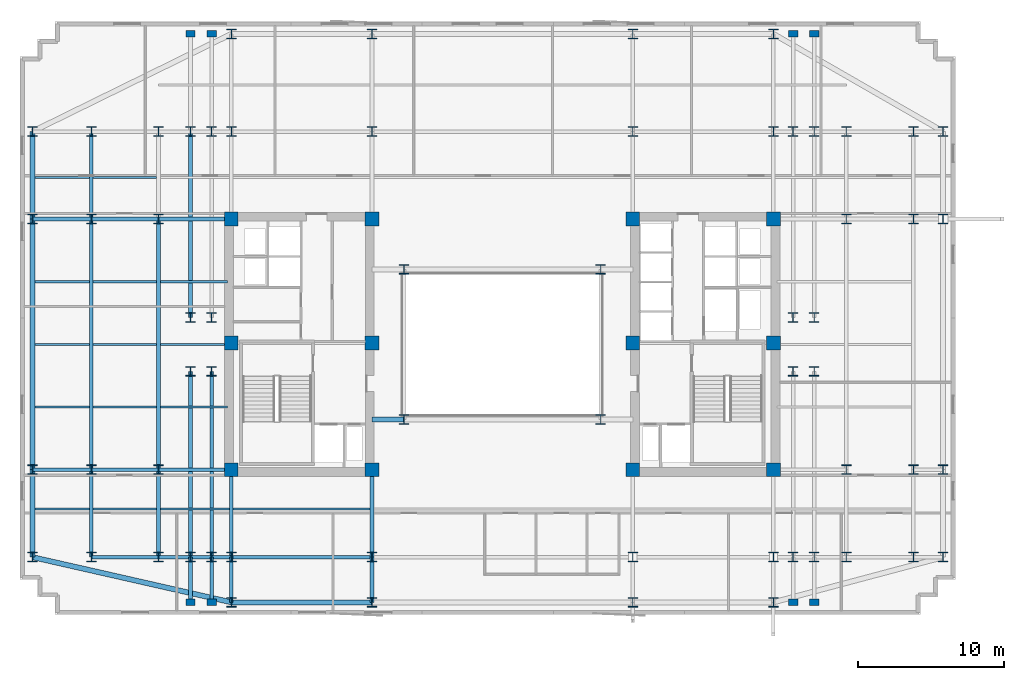
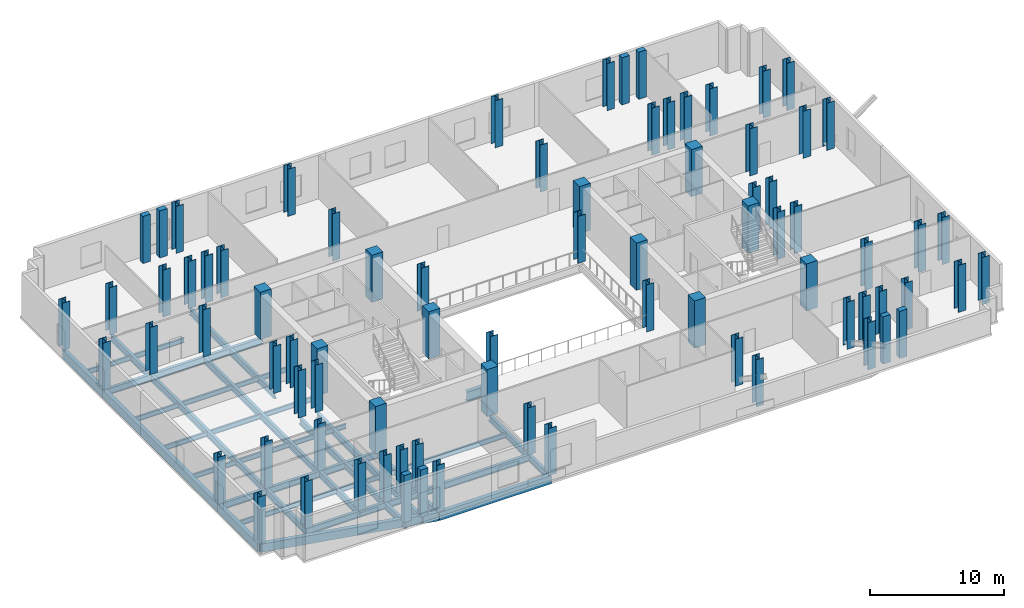
# One storey, part 1 of 9: 80 columns, 44 beams.
"""IFC4 building model written with IfcOpenShell, lengths in metres."""

from ifc_helpers import new_model, si_unit, direction, frame, origin, origin_2d, place, context, subcontext, project, spatial, rectangle, i_section, extrude, material, material_profile, profile_set, type_object, element, save


model = new_model("IFC4")

# Units and contexts
model_context = context("Model", 3, precision=1e-05, world=origin(), true_north=direction((0.0, 1.0)))
body_context = subcontext(model_context, "Body", "Model", "MODEL_VIEW")
ifc_project = project(units=[si_unit("LENGTHUNIT", "METRE"), si_unit("AREAUNIT", "SQUARE_METRE"), si_unit("VOLUMEUNIT", "CUBIC_METRE"), si_unit("PLANEANGLEUNIT", "RADIAN"), si_unit("MASSUNIT", "GRAM", prefix="KILO")], contexts=[model_context])

# Site, building, storey
site_placement = place(None, origin())
site = spatial("IfcSite", under=ifc_project, at=site_placement, CompositionType="ELEMENT")
building_placement = place(site_placement, origin())
building = spatial("IfcBuilding", under=site, at=building_placement, Name="Velakula Bourse", CompositionType="ELEMENT")
storey_placement = place(building_placement, frame((0.0, 0.0, 151.89990234375)))
storey = spatial("IfcBuildingStorey", under=building, at=storey_placement, Name="L41", CompositionType="ELEMENT", Elevation=151.89990234375)

# Columns
ifc_material_1 = material(Name="Concrete M70 (fck 70 MPa)", Category="concrete")
ifc_material_profile_1 = material_profile(ifc_material_1, rectangle(XDim=0.949951171875, YDim=0.949951171875, at=origin_2d()), Name="Concrete M70 (fck 70 MPa)")
ifc_profile_set_1 = profile_set([ifc_material_profile_1], Name="Concrete M70 (fck 70 MPa)")
column_type_1 = type_object("IfcColumnType", Name="COL-RC-950", PredefinedType="COLUMN", material=ifc_profile_set_1)
for number, where, z_axis, x_axis, name in (
    (1, (-8.949951171875, -8.60009765625, 0.0), (0.0, 0.0, 1.0), (1.0, 0.0, 0.0), "L41 Core Boundary Column 01"),
    (2, (-8.949951171875, 0.10009765625, 0.0), (0.0, 0.0, 1.0), (1.0, 0.0, 0.0), "L41 Core Boundary Column 02"),
    (3, (-8.949951171875, 8.60009765625, 0.0), (0.0, 0.0, 1.0), (1.0, 0.0, 0.0), "L41 Core Boundary Column 03"),
    (4, (-18.60009765625, -8.60009765625, 0.0), (0.0, 0.0, 1.0), (1.0, 0.0, 0.0), "L41 Core Boundary Column 04"),
    (5, (-18.60009765625, 0.10009765625, 0.0), (0.0, 0.0, 1.0), (1.0, 0.0, 0.0), "L41 Core Boundary Column 05"),
    (6, (-18.60009765625, 8.60009765625, 0.0), (0.0, 0.0, 1.0), (1.0, 0.0, 0.0), "L41 Core Boundary Column 06"),
    (7, (8.949951171875, -8.60009765625, 0.0), (0.0, 0.0, 1.0), (1.0, 0.0, 0.0), "L41 Core Boundary Column 07"),
    (8, (8.949951171875, 0.10009765625, 0.0), (0.0, 0.0, 1.0), (1.0, 0.0, 0.0), "L41 Core Boundary Column 08"),
    (9, (8.949951171875, 8.60009765625, 0.0), (0.0, 0.0, 1.0), (1.0, 0.0, 0.0), "L41 Core Boundary Column 09"),
    (10, (18.60009765625, -8.60009765625, 0.0), (0.0, 0.0, 1.0), (1.0, 0.0, 0.0), "L41 Core Boundary Column 10"),
    (11, (18.60009765625, 0.10009765625, 0.0), (0.0, 0.0, 1.0), (1.0, 0.0, 0.0), "L41 Core Boundary Column 11"),
    (12, (18.60009765625, 8.60009765625, 0.0), (0.0, 0.0, 1.0), (1.0, 0.0, 0.0), "L41 Core Boundary Column 12"),
):
    element("IfcColumn", number, at=place(storey_placement, frame(where, z_axis=z_axis, x_axis=x_axis)), inside=storey, type_object=column_type_1, Name=name, PredefinedType="COLUMN", context=body_context, shape_type="SweptSolid", body=[
        extrude(rectangle(XDim=0.949951171875, YDim=0.949951171875, at=origin_2d()), origin(), (0.0, 0.0, 1.0), 4.300048828125),
    ])
ifc_material_2 = material(Name="Steel IS 2062 Grade 350 (E350)", Category="steel")
ifc_material_profile_2 = material_profile(ifc_material_2, i_section(OverallWidth=0.64990234375, OverallDepth=0.64990234375, WebThickness=0.028076171875, FlangeThickness=0.0400390625, at=origin_2d()), Name="Steel IS 2062 Grade 350 (E350)")
ifc_profile_set_2 = profile_set([ifc_material_profile_2], Name="Steel IS 2062 Grade 350 (E350)")
column_type_2 = type_object("IfcColumnType", Name="COL-STL-650", PredefinedType="COLUMN", material=ifc_profile_set_2)
for number, where, z_axis, x_axis, name in (
    (13, (-6.75, -5.14990234375, 0.0), (0.0, 0.0, 1.0), (1.0, 0.0, 0.0), "L41 Central Spine Column 01"),
    (14, (-6.75, 5.14990234375, 0.0), (0.0, 0.0, 1.0), (1.0, 0.0, 0.0), "L41 Central Spine Column 02"),
    (15, (6.75, -5.14990234375, 0.0), (0.0, 0.0, 1.0), (1.0, 0.0, 0.0), "L41 Central Spine Column 03"),
    (16, (6.75, 5.14990234375, 0.0), (0.0, 0.0, 1.0), (1.0, 0.0, 0.0), "L41 Central Spine Column 04"),
    (17, (-21.39990234375, -14.60009765625, 0.0), (0.0, 0.0, 1.0), (1.0, 0.0, 0.0), "L41 Tower Fulcrum Column 01"),
    (18, (-21.39990234375, 14.60009765625, 0.0), (0.0, 0.0, 1.0), (1.0, 0.0, 0.0), "L41 Tower Fulcrum Column 02"),
    (19, (-19.949951171875, -14.60009765625, 0.0), (0.0, 0.0, 1.0), (1.0, 0.0, 0.0), "L41 Tower Fulcrum Column 03"),
    (20, (-19.949951171875, 14.60009765625, 0.0), (0.0, 0.0, 1.0), (1.0, 0.0, 0.0), "L41 Tower Fulcrum Column 04"),
    (21, (-18.60009765625, -14.60009765625, 0.0), (0.0, 0.0, 1.0), (1.0, 0.0, 0.0), "L41 Tower Fulcrum Column 05"),
    (22, (-18.60009765625, 14.60009765625, 0.0), (0.0, 0.0, 1.0), (1.0, 0.0, 0.0), "L41 Tower Fulcrum Column 06"),
    (23, (-8.949951171875, -14.60009765625, 0.0), (0.0, 0.0, 1.0), (1.0, 0.0, 0.0), "L41 Tower Fulcrum Column 07"),
    (24, (-8.949951171875, 14.60009765625, 0.0), (0.0, 0.0, 1.0), (1.0, 0.0, 0.0), "L41 Tower Fulcrum Column 08"),
    (25, (8.949951171875, -14.60009765625, 0.0), (0.0, 0.0, 1.0), (1.0, 0.0, 0.0), "L41 Tower Fulcrum Column 09"),
    (26, (8.949951171875, 14.60009765625, 0.0), (0.0, 0.0, 1.0), (1.0, 0.0, 0.0), "L41 Tower Fulcrum Column 10"),
    (27, (18.60009765625, -14.60009765625, 0.0), (0.0, 0.0, 1.0), (1.0, 0.0, 0.0), "L41 Tower Fulcrum Column 11"),
    (28, (18.60009765625, 14.60009765625, 0.0), (0.0, 0.0, 1.0), (1.0, 0.0, 0.0), "L41 Tower Fulcrum Column 12"),
    (29, (19.949951171875, -14.60009765625, 0.0), (0.0, 0.0, 1.0), (1.0, 0.0, 0.0), "L41 Tower Fulcrum Column 13"),
    (30, (19.949951171875, 14.60009765625, 0.0), (0.0, 0.0, 1.0), (1.0, 0.0, 0.0), "L41 Tower Fulcrum Column 14"),
    (31, (21.39990234375, -14.60009765625, 0.0), (0.0, 0.0, 1.0), (1.0, 0.0, 0.0), "L41 Tower Fulcrum Column 15"),
    (32, (21.39990234375, 14.60009765625, 0.0), (0.0, 0.0, 1.0), (1.0, 0.0, 0.0), "L41 Tower Fulcrum Column 16"),
    (33, (-21.39990234375, -1.85009765625, 0.0), (0.0, 0.0, 1.0), (1.0, 0.0, 0.0), "L41 Tower Fulcrum Column 17"),
    (34, (-21.39990234375, 1.85009765625, 0.0), (0.0, 0.0, 1.0), (1.0, 0.0, 0.0), "L41 Tower Fulcrum Column 18"),
    (35, (-19.949951171875, -1.85009765625, 0.0), (0.0, 0.0, 1.0), (1.0, 0.0, 0.0), "L41 Tower Fulcrum Column 19"),
    (36, (-19.949951171875, 1.85009765625, 0.0), (0.0, 0.0, 1.0), (1.0, 0.0, 0.0), "L41 Tower Fulcrum Column 20"),
    (37, (19.949951171875, -1.85009765625, 0.0), (0.0, 0.0, 1.0), (1.0, 0.0, 0.0), "L41 Tower Fulcrum Column 21"),
    (38, (19.949951171875, 1.85009765625, 0.0), (0.0, 0.0, 1.0), (1.0, 0.0, 0.0), "L41 Tower Fulcrum Column 22"),
    (39, (21.39990234375, -1.85009765625, 0.0), (0.0, 0.0, 1.0), (1.0, 0.0, 0.0), "L41 Tower Fulcrum Column 23"),
    (40, (21.39990234375, 1.85009765625, 0.0), (0.0, 0.0, 1.0), (1.0, 0.0, 0.0), "L41 Tower Fulcrum Column 24"),
    (41, (-23.60009765625, -14.60009765625, 0.0), (0.0, 0.0, 1.0), (1.0, 0.0, 0.0), "L41 Mid-Wing Plumb Column 01"),
    (42, (-23.60009765625, -8.60009765625, 0.0), (0.0, 0.0, 1.0), (1.0, 0.0, 0.0), "L41 Mid-Wing Plumb Column 02"),
    (43, (-23.60009765625, 8.60009765625, 0.0), (0.0, 0.0, 1.0), (1.0, 0.0, 0.0), "L41 Mid-Wing Plumb Column 03"),
    (44, (-23.60009765625, 14.60009765625, 0.0), (0.0, 0.0, 1.0), (1.0, 0.0, 0.0), "L41 Mid-Wing Plumb Column 04"),
    (45, (23.60009765625, -14.60009765625, 0.0), (0.0, 0.0, 1.0), (1.0, 0.0, 0.0), "L41 Mid-Wing Plumb Column 05"),
    (46, (23.60009765625, -8.60009765625, 0.0), (0.0, 0.0, 1.0), (1.0, 0.0, 0.0), "L41 Mid-Wing Plumb Column 06"),
    (47, (23.60009765625, 8.60009765625, 0.0), (0.0, 0.0, 1.0), (1.0, 0.0, 0.0), "L41 Mid-Wing Plumb Column 07"),
    (48, (23.60009765625, 14.60009765625, 0.0), (0.0, 0.0, 1.0), (1.0, 0.0, 0.0), "L41 Mid-Wing Plumb Column 08"),
    (49, (-28.199951171875, -14.60009765625, 0.0), (0.0, 0.0, 1.0), (1.0, 0.0, 0.0), "L41 Lower Wing Column 01"),
    (50, (-28.199951171875, -8.60009765625, 0.0), (0.0, 0.0, 1.0), (1.0, 0.0, 0.0), "L41 Lower Wing Column 02"),
    (51, (-28.199951171875, 8.60009765625, 0.0), (0.0, 0.0, 1.0), (1.0, 0.0, 0.0), "L41 Lower Wing Column 03"),
    (52, (-28.199951171875, 14.60009765625, 0.0), (0.0, 0.0, 1.0), (1.0, 0.0, 0.0), "L41 Lower Wing Column 04"),
    (53, (28.199951171875, -14.60009765625, 0.0), (0.0, 0.0, 1.0), (1.0, 0.0, 0.0), "L41 Lower Wing Column 05"),
    (54, (28.199951171875, -8.60009765625, 0.0), (0.0, 0.0, 1.0), (1.0, 0.0, 0.0), "L41 Lower Wing Column 06"),
    (55, (28.199951171875, 8.60009765625, 0.0), (0.0, 0.0, 1.0), (1.0, 0.0, 0.0), "L41 Lower Wing Column 07"),
    (56, (28.199951171875, 14.60009765625, 0.0), (0.0, 0.0, 1.0), (1.0, 0.0, 0.0), "L41 Lower Wing Column 08"),
    (57, (-18.60009765625, -17.699951171875, 0.0), (0.0, 0.0, 1.0), (1.0, 0.0, 0.0), "L41 Block B3 Perimeter Column S1"),
    (58, (-8.949951171875, -17.699951171875, 0.0), (0.0, 0.0, 1.0), (1.0, 0.0, 0.0), "L41 Block B3 Perimeter Column S2"),
    (59, (8.949951171875, -17.699951171875, 0.0), (0.0, 0.0, 1.0), (1.0, 0.0, 0.0), "L41 Block B3 Perimeter Column S3"),
    (60, (18.60009765625, -17.699951171875, 0.0), (0.0, 0.0, 1.0), (1.0, 0.0, 0.0), "L41 Block B3 Perimeter Column S4"),
    (61, (-18.60009765625, 21.300048828125, 0.0), (0.0, 0.0, 1.0), (1.0, 0.0, 0.0), "L41 Block B3 Perimeter Column N1"),
    (62, (-8.949951171875, 21.300048828125, 0.0), (0.0, 0.0, 1.0), (1.0, 0.0, 0.0), "L41 Block B3 Perimeter Column N2"),
    (63, (8.949951171875, 21.300048828125, 0.0), (0.0, 0.0, 1.0), (1.0, 0.0, 0.0), "L41 Block B3 Perimeter Column N3"),
    (64, (18.60009765625, 21.300048828125, 0.0), (0.0, 0.0, 1.0), (1.0, 0.0, 0.0), "L41 Block B3 Perimeter Column N4"),
    (65, (-32.25, -14.60009765625, 0.0), (0.0, 0.0, 1.0), (1.0, 0.0, 0.0), "L41 Block B3 Perimeter Column W1"),
    (66, (-32.25, -8.60009765625, 0.0), (0.0, 0.0, 1.0), (1.0, 0.0, 0.0), "L41 Block B3 Perimeter Column W2"),
    (67, (-32.25, 8.60009765625, 0.0), (0.0, 0.0, 1.0), (1.0, 0.0, 0.0), "L41 Block B3 Perimeter Column W3"),
    (68, (-32.25, 14.60009765625, 0.0), (0.0, 0.0, 1.0), (1.0, 0.0, 0.0), "L41 Block B3 Perimeter Column W4"),
    (69, (30.25, -14.60009765625, 0.0), (0.0, 0.0, 1.0), (1.0, 0.0, 0.0), "L41 Block B3 Perimeter Column E1"),
    (70, (30.25, -8.60009765625, 0.0), (0.0, 0.0, 1.0), (1.0, 0.0, 0.0), "L41 Block B3 Perimeter Column E2"),
    (71, (30.25, 8.60009765625, 0.0), (0.0, 0.0, 1.0), (1.0, 0.0, 0.0), "L41 Block B3 Perimeter Column E3"),
    (72, (30.25, 14.60009765625, 0.0), (0.0, 0.0, 1.0), (1.0, 0.0, 0.0), "L41 Block B3 Perimeter Column E4"),
):
    element("IfcColumn", number, at=place(storey_placement, frame(where, z_axis=z_axis, x_axis=x_axis)), inside=storey, type_object=column_type_2, Name=name, PredefinedType="COLUMN", context=body_context, shape_type="SweptSolid", body=[
        extrude(i_section(OverallWidth=0.64990234375, OverallDepth=0.64990234375, WebThickness=0.028076171875, FlangeThickness=0.0400390625, at=origin_2d()), origin(), (0.0, 0.0, 1.0), 4.300048828125),
    ])
ifc_material_3 = material(Name="Precast concrete M45 (fck 45 MPa)", Category="concrete")
ifc_material_profile_3 = material_profile(ifc_material_3, rectangle(XDim=0.64990234375, YDim=0.449951171875, at=origin_2d()), Name="Precast concrete M45 (fck 45 MPa)")
ifc_profile_set_3 = profile_set([ifc_material_profile_3], Name="Precast concrete M45 (fck 45 MPa)")
column_type_3 = type_object("IfcColumnType", Name="PIL-BRICK-650", PredefinedType="PILASTER", material=ifc_profile_set_3)
for number, where, z_axis, x_axis, name in (
    (73, (-21.39990234375, -17.699951171875, 0.0), (0.0, 0.0, 1.0), (1.0, 0.0, 0.0), "L41 Brick Pier Pilaster 01"),
    (74, (-19.949951171875, -17.699951171875, 0.0), (0.0, 0.0, 1.0), (1.0, 0.0, 0.0), "L41 Brick Pier Pilaster 02"),
    (75, (19.949951171875, -17.699951171875, 0.0), (0.0, 0.0, 1.0), (1.0, 0.0, 0.0), "L41 Brick Pier Pilaster 03"),
    (76, (21.39990234375, -17.699951171875, 0.0), (0.0, 0.0, 1.0), (1.0, 0.0, 0.0), "L41 Brick Pier Pilaster 04"),
    (77, (-21.39990234375, 21.300048828125, 0.0), (0.0, 0.0, 1.0), (1.0, 0.0, 0.0), "L41 Brick Pier Pilaster 05"),
    (78, (-19.949951171875, 21.300048828125, 0.0), (0.0, 0.0, 1.0), (1.0, 0.0, 0.0), "L41 Brick Pier Pilaster 06"),
    (79, (19.949951171875, 21.300048828125, 0.0), (0.0, 0.0, 1.0), (1.0, 0.0, 0.0), "L41 Brick Pier Pilaster 07"),
    (80, (21.39990234375, 21.300048828125, 0.0), (0.0, 0.0, 1.0), (1.0, 0.0, 0.0), "L41 Brick Pier Pilaster 08"),
):
    element("IfcColumn", number, at=place(storey_placement, frame(where, z_axis=z_axis, x_axis=x_axis)), inside=storey, type_object=column_type_3, Name=name, PredefinedType="PILASTER", context=body_context, shape_type="SweptSolid", body=[
        extrude(rectangle(XDim=0.64990234375, YDim=0.449951171875, at=origin_2d()), origin(), (0.0, 0.0, 1.0), 4.300048828125),
    ])

# Beams
ifc_material_profile_4 = material_profile(ifc_material_2, i_section(OverallWidth=0.25, OverallDepth=0.60009765625, WebThickness=0.01123046875, FlangeThickness=0.021240234375, at=origin_2d()), Name="Steel IS 2062 Grade 350 (E350)")
ifc_profile_set_4 = profile_set([ifc_material_profile_4], Name="Steel IS 2062 Grade 350 (E350)")
beam_type_1 = type_object("IfcBeamType", Name="BM-GRD-600M", PredefinedType="BEAM", material=ifc_profile_set_4)
for number, where, z_axis, x_axis, name in (
    (81, (-18.60009765625, -14.60009765625, -0.47998046875), (0.0, 1.0, 0.0), (-1.0, 0.0, 0.0), "L41 Fulcrum Grid Girder FLC-WS"),
    (82, (-8.949951171875, -14.60009765625, -0.47998046875), (0.0, 1.0, 0.0), (-1.0, 0.0, 0.0), "L41 Fulcrum Grid Girder FLC-WCS"),
):
    element("IfcBeam", number, at=place(storey_placement, frame(where, z_axis=z_axis, x_axis=x_axis)), inside=storey, type_object=beam_type_1, Name=name, PredefinedType="BEAM", context=body_context, shape_type="SweptSolid", body=[
        extrude(i_section(OverallWidth=0.25, OverallDepth=0.60009765625, WebThickness=0.01123046875, FlangeThickness=0.021240234375, at=origin_2d()), origin(), (0.0, 0.0, 1.0), 6.0),
    ])
beam_1_placement = place(storey_placement, frame((-18.60009765625, -14.60009765625, -0.47998046875), z_axis=(1.0, 0.0, 0.0), x_axis=(0.0, 1.0, 0.0)))
element("IfcBeam", 83, at=beam_1_placement, inside=storey, type_object=beam_type_1, Name="L41 Fulcrum Grid Girder FLC-S1", PredefinedType="BEAM", context=body_context, shape_type="SweptSolid", body=[
    extrude(i_section(OverallWidth=0.25, OverallDepth=0.60009765625, WebThickness=0.01123046875, FlangeThickness=0.021240234375, at=origin_2d()), origin(), (0.0, 0.0, 1.0), 9.650146484375),
])
for number, where, z_axis, x_axis, name in (
    (84, (-21.39990234375, -14.60009765625, -0.47998046875), (0.0, 1.0, 0.0), (-1.0, 0.0, 0.0), "L41 Fulcrum Grid Girder FLC-PSW1"),
    (85, (-21.39990234375, 1.85009765625, -0.47998046875), (0.0, 1.0, 0.0), (-1.0, 0.0, 0.0), "L41 Fulcrum Grid Girder FLC-PNW1"),
    (86, (-19.949951171875, -14.60009765625, -0.47998046875), (0.0, 1.0, 0.0), (-1.0, 0.0, 0.0), "L41 Fulcrum Grid Girder FLC-PSW2"),
):
    element("IfcBeam", number, at=place(storey_placement, frame(where, z_axis=z_axis, x_axis=x_axis)), inside=storey, type_object=beam_type_1, Name=name, PredefinedType="BEAM", context=body_context, shape_type="SweptSolid", body=[
        extrude(i_section(OverallWidth=0.25, OverallDepth=0.60009765625, WebThickness=0.01123046875, FlangeThickness=0.021240234375, at=origin_2d()), origin(), (0.0, 0.0, 1.0), 12.75),
    ])
for number, where, z_axis, x_axis, name in (
    (87, (-23.60009765625, -14.60009765625, -0.47998046875), (1.0, 0.0, 0.0), (0.0, 1.0, 0.0), "L41 Fulcrum Grid Girder MWG-WS1"),
    (88, (-23.60009765625, -8.60009765625, -0.47998046875), (1.0, 0.0, 0.0), (0.0, 1.0, 0.0), "L41 Fulcrum Grid Girder MWG-WS2"),
    (89, (-23.60009765625, 8.60009765625, -0.47998046875), (1.0, 0.0, 0.0), (0.0, 1.0, 0.0), "L41 Fulcrum Grid Girder MWG-WN1"),
):
    element("IfcBeam", number, at=place(storey_placement, frame(where, z_axis=z_axis, x_axis=x_axis)), inside=storey, type_object=beam_type_1, Name=name, PredefinedType="BEAM", context=body_context, shape_type="SweptSolid", body=[
        extrude(i_section(OverallWidth=0.25, OverallDepth=0.60009765625, WebThickness=0.01123046875, FlangeThickness=0.021240234375, at=origin_2d()), origin(), (0.0, 0.0, 1.0), 5.0),
    ])
beam_2_placement = place(storey_placement, frame((-23.60009765625, -14.60009765625, -0.47998046875), z_axis=(0.0, 1.0, 0.0), x_axis=(-1.0, 0.0, 0.0)))
element("IfcBeam", 90, at=beam_2_placement, inside=storey, type_object=beam_type_1, Name="L41 Fulcrum Grid Girder MWG-WNS1", PredefinedType="BEAM", context=body_context, shape_type="SweptSolid", body=[
    extrude(i_section(OverallWidth=0.25, OverallDepth=0.60009765625, WebThickness=0.01123046875, FlangeThickness=0.021240234375, at=origin_2d()), origin(), (0.0, 0.0, 1.0), 6.0),
])
beam_3_placement = place(storey_placement, frame((-23.60009765625, -8.60009765625, -0.47998046875), z_axis=(0.0, 1.0, 0.0), x_axis=(-1.0, 0.0, 0.0)))
element("IfcBeam", 91, at=beam_3_placement, inside=storey, type_object=beam_type_1, Name="L41 Fulcrum Grid Girder MWG-WNS2", PredefinedType="BEAM", context=body_context, shape_type="SweptSolid", body=[
    extrude(i_section(OverallWidth=0.25, OverallDepth=0.60009765625, WebThickness=0.01123046875, FlangeThickness=0.021240234375, at=origin_2d()), origin(), (0.0, 0.0, 1.0), 17.2001953125),
])
for number, where, z_axis, x_axis, name in (
    (92, (-28.199951171875, -14.60009765625, -0.47998046875), (1.0, 0.0, 0.0), (0.0, 1.0, 0.0), "L41 Fulcrum Grid Girder WNG-WS1"),
    (93, (-28.199951171875, -8.60009765625, -0.47998046875), (1.0, 0.0, 0.0), (0.0, 1.0, 0.0), "L41 Fulcrum Grid Girder WNG-WS2"),
    (94, (-28.199951171875, 8.60009765625, -0.47998046875), (1.0, 0.0, 0.0), (0.0, 1.0, 0.0), "L41 Fulcrum Grid Girder WNG-WN1"),
):
    element("IfcBeam", number, at=place(storey_placement, frame(where, z_axis=z_axis, x_axis=x_axis)), inside=storey, type_object=beam_type_1, Name=name, PredefinedType="BEAM", context=body_context, shape_type="SweptSolid", body=[
        extrude(i_section(OverallWidth=0.25, OverallDepth=0.60009765625, WebThickness=0.01123046875, FlangeThickness=0.021240234375, at=origin_2d()), origin(), (0.0, 0.0, 1.0), 4.599853515625),
    ])
beam_4_placement = place(storey_placement, frame((-28.199951171875, -14.60009765625, -0.47998046875), z_axis=(0.0, 1.0, 0.0), x_axis=(-1.0, 0.0, 0.0)))
element("IfcBeam", 95, at=beam_4_placement, inside=storey, type_object=beam_type_1, Name="L41 Fulcrum Grid Girder WNG-WNS1", PredefinedType="BEAM", context=body_context, shape_type="SweptSolid", body=[
    extrude(i_section(OverallWidth=0.25, OverallDepth=0.60009765625, WebThickness=0.01123046875, FlangeThickness=0.021240234375, at=origin_2d()), origin(), (0.0, 0.0, 1.0), 6.0),
])
beam_5_placement = place(storey_placement, frame((-28.199951171875, -8.60009765625, -0.47998046875), z_axis=(0.0, 1.0, 0.0), x_axis=(-1.0, 0.0, 0.0)))
element("IfcBeam", 96, at=beam_5_placement, inside=storey, type_object=beam_type_1, Name="L41 Fulcrum Grid Girder WNG-WNS2", PredefinedType="BEAM", context=body_context, shape_type="SweptSolid", body=[
    extrude(i_section(OverallWidth=0.25, OverallDepth=0.60009765625, WebThickness=0.01123046875, FlangeThickness=0.021240234375, at=origin_2d()), origin(), (0.0, 0.0, 1.0), 17.2001953125),
])
beam_6_placement = place(storey_placement, frame((-28.199951171875, 8.60009765625, -0.47998046875), z_axis=(0.0, 1.0, 0.0), x_axis=(-1.0, 0.0, 0.0)))
element("IfcBeam", 97, at=beam_6_placement, inside=storey, type_object=beam_type_1, Name="L41 Fulcrum Grid Girder WNG-WNS3", PredefinedType="BEAM", context=body_context, shape_type="SweptSolid", body=[
    extrude(i_section(OverallWidth=0.25, OverallDepth=0.60009765625, WebThickness=0.01123046875, FlangeThickness=0.021240234375, at=origin_2d()), origin(), (0.0, 0.0, 1.0), 6.0),
])
for number, where, z_axis, x_axis, name in (
    (98, (-18.60009765625, -14.60009765625, -0.47998046875), (0.0, -1.0, 0.0), (1.0, 0.0, 0.0), "L41 Perimeter Tie Girder S1"),
    (99, (-8.949951171875, -14.60009765625, -0.47998046875), (0.0, -1.0, 0.0), (1.0, 0.0, 0.0), "L41 Perimeter Tie Girder S2"),
):
    element("IfcBeam", number, at=place(storey_placement, frame(where, z_axis=z_axis, x_axis=x_axis)), inside=storey, type_object=beam_type_1, Name=name, PredefinedType="BEAM", context=body_context, shape_type="SweptSolid", body=[
        extrude(i_section(OverallWidth=0.25, OverallDepth=0.60009765625, WebThickness=0.01123046875, FlangeThickness=0.021240234375, at=origin_2d()), origin(), (0.0, 0.0, 1.0), 3.099853515625),
    ])
for number, where, z_axis, x_axis, name in (
    (100, (-28.199951171875, -8.60009765625, -0.47998046875), (-1.0, 0.0, 0.0), (0.0, -1.0, 0.0), "L41 Perimeter Tie Girder W2"),
    (101, (-28.199951171875, 8.60009765625, -0.47998046875), (-1.0, 0.0, 0.0), (0.0, -1.0, 0.0), "L41 Perimeter Tie Girder W3"),
):
    element("IfcBeam", number, at=place(storey_placement, frame(where, z_axis=z_axis, x_axis=x_axis)), inside=storey, type_object=beam_type_1, Name=name, PredefinedType="BEAM", context=body_context, shape_type="SweptSolid", body=[
        extrude(i_section(OverallWidth=0.25, OverallDepth=0.60009765625, WebThickness=0.01123046875, FlangeThickness=0.021240234375, at=origin_2d()), origin(), (0.0, 0.0, 1.0), 4.050048828125),
    ])
for number, where, z_axis, x_axis, name in (
    (102, (-21.39990234375, -14.60009765625, -0.47998046875), (0.0, -1.0, 0.0), (1.0, 0.0, 0.0), "L41 Perimeter Tie Girder P01"),
    (103, (-19.949951171875, -14.60009765625, -0.47998046875), (0.0, -1.0, 0.0), (1.0, 0.0, 0.0), "L41 Perimeter Tie Girder P02"),
):
    element("IfcBeam", number, at=place(storey_placement, frame(where, z_axis=z_axis, x_axis=x_axis)), inside=storey, type_object=beam_type_1, Name=name, PredefinedType="BEAM", context=body_context, shape_type="SweptSolid", body=[
        extrude(i_section(OverallWidth=0.25, OverallDepth=0.60009765625, WebThickness=0.01123046875, FlangeThickness=0.021240234375, at=origin_2d()), origin(), (0.0, 0.0, 1.0), 3.099853515625),
    ])
ifc_material_profile_5 = material_profile(ifc_material_2, i_section(OverallWidth=0.35009765625, OverallDepth=0.89990234375, WebThickness=0.02001953125, FlangeThickness=0.031982421875, at=origin_2d()), Name="Steel IS 2062 Grade 350 (E350)")
ifc_profile_set_5 = profile_set([ifc_material_profile_5], Name="Steel IS 2062 Grade 350 (E350)")
beam_type_2 = type_object("IfcBeamType", Name="BM-LNK-900", PredefinedType="BEAM", material=ifc_profile_set_5)
beam_7_placement = place(storey_placement, frame((-8.949951171875, -5.14990234375, -0.6298828125), z_axis=(1.0, 0.0, 0.0), x_axis=(0.0, 1.0, 0.0)))
element("IfcBeam", 104, at=beam_7_placement, inside=storey, type_object=beam_type_2, Name="L41 Primary Backbone Girder LNK-S1", PredefinedType="BEAM", context=body_context, shape_type="SweptSolid", body=[
    extrude(i_section(OverallWidth=0.35009765625, OverallDepth=0.89990234375, WebThickness=0.02001953125, FlangeThickness=0.031982421875, at=origin_2d()), origin(), (0.0, 0.0, 1.0), 2.199951171875),
])
ifc_material_profile_6 = material_profile(ifc_material_2, i_section(OverallWidth=0.14990234375, OverallDepth=0.449951171875, WebThickness=0.009521484375, FlangeThickness=0.017333984375, at=origin_2d()), Name="Steel IS 2062 Grade 350 (E350)")
ifc_profile_set_6 = profile_set([ifc_material_profile_6], Name="Steel IS 2062 Grade 350 (E350)")
beam_type_3 = type_object("IfcBeamType", Name="JST-TWR-450", PredefinedType="JOIST", material=ifc_profile_set_6)
beam_8_placement = place(storey_placement, frame((-32.074951171875, -11.300048828125, -0.40478515625), z_axis=(1.0, 0.0, 0.0), x_axis=(0.0, 1.0, 0.0)))
element("IfcBeam", 105, at=beam_8_placement, inside=storey, type_object=beam_type_3, Name="L41 Trading Floor Composite Joist 01", PredefinedType="JOIST", context=body_context, shape_type="SweptSolid", body=[
    extrude(i_section(OverallWidth=0.14990234375, OverallDepth=0.449951171875, WebThickness=0.009521484375, FlangeThickness=0.017333984375, at=origin_2d()), origin(), (0.0, 0.0, 1.0), 3.75),
])
beam_9_placement = place(storey_placement, frame((-28.074951171875, -11.300048828125, -0.40478515625), z_axis=(1.0, 0.0, 0.0), x_axis=(0.0, 1.0, 0.0)))
element("IfcBeam", 106, at=beam_9_placement, inside=storey, type_object=beam_type_3, Name="L41 Trading Floor Composite Joist 02", PredefinedType="JOIST", context=body_context, shape_type="SweptSolid", body=[
    extrude(i_section(OverallWidth=0.14990234375, OverallDepth=0.449951171875, WebThickness=0.009521484375, FlangeThickness=0.017333984375, at=origin_2d()), origin(), (0.0, 0.0, 1.0), 4.349853515625),
])
beam_10_placement = place(storey_placement, frame((-23.47509765625, -11.300048828125, -0.40478515625), z_axis=(1.0, 0.0, 0.0), x_axis=(0.0, 1.0, 0.0)))
element("IfcBeam", 107, at=beam_10_placement, inside=storey, type_object=beam_type_3, Name="L41 Trading Floor Composite Joist 03", PredefinedType="JOIST", context=body_context, shape_type="SweptSolid", body=[
    extrude(i_section(OverallWidth=0.14990234375, OverallDepth=0.449951171875, WebThickness=0.009521484375, FlangeThickness=0.017333984375, at=origin_2d()), origin(), (0.0, 0.0, 1.0), 4.75),
])
beam_11_placement = place(storey_placement, frame((-18.47509765625, -11.300048828125, -0.40478515625), z_axis=(1.0, 0.0, 0.0), x_axis=(0.0, 1.0, 0.0)))
element("IfcBeam", 108, at=beam_11_placement, inside=storey, type_object=beam_type_3, Name="L41 Trading Floor Composite Joist 04", PredefinedType="JOIST", context=body_context, shape_type="SweptSolid", body=[
    extrude(i_section(OverallWidth=0.14990234375, OverallDepth=0.449951171875, WebThickness=0.009521484375, FlangeThickness=0.017333984375, at=origin_2d()), origin(), (0.0, 0.0, 1.0), 9.400146484375),
])
beam_12_placement = place(storey_placement, frame((-32.074951171875, 11.449951171875, -0.40478515625), z_axis=(1.0, 0.0, 0.0), x_axis=(0.0, 1.0, 0.0)))
element("IfcBeam", 109, at=beam_12_placement, inside=storey, type_object=beam_type_3, Name="L41 Trading Floor Composite Joist 09", PredefinedType="JOIST", context=body_context, shape_type="SweptSolid", body=[
    extrude(i_section(OverallWidth=0.14990234375, OverallDepth=0.449951171875, WebThickness=0.009521484375, FlangeThickness=0.017333984375, at=origin_2d()), origin(), (0.0, 0.0, 1.0), 3.75),
])
beam_13_placement = place(storey_placement, frame((-28.074951171875, 11.449951171875, -0.40478515625), z_axis=(1.0, 0.0, 0.0), x_axis=(0.0, 1.0, 0.0)))
element("IfcBeam", 110, at=beam_13_placement, inside=storey, type_object=beam_type_3, Name="L41 Trading Floor Composite Joist 10", PredefinedType="JOIST", context=body_context, shape_type="SweptSolid", body=[
    extrude(i_section(OverallWidth=0.14990234375, OverallDepth=0.449951171875, WebThickness=0.009521484375, FlangeThickness=0.017333984375, at=origin_2d()), origin(), (0.0, 0.0, 1.0), 4.349853515625),
])
beam_14_placement = place(storey_placement, frame((-32.074951171875, -4.300048828125, -0.40478515625), z_axis=(1.0, 0.0, 0.0), x_axis=(0.0, 1.0, 0.0)))
element("IfcBeam", 111, at=beam_14_placement, inside=storey, type_object=beam_type_3, Name="L41 Trading Floor Composite Joist 25", PredefinedType="JOIST", context=body_context, shape_type="SweptSolid", body=[
    extrude(i_section(OverallWidth=0.14990234375, OverallDepth=0.449951171875, WebThickness=0.009521484375, FlangeThickness=0.017333984375, at=origin_2d()), origin(), (0.0, 0.0, 1.0), 3.75),
])
beam_15_placement = place(storey_placement, frame((-28.074951171875, -4.300048828125, -0.40478515625), z_axis=(1.0, 0.0, 0.0), x_axis=(0.0, 1.0, 0.0)))
element("IfcBeam", 112, at=beam_15_placement, inside=storey, type_object=beam_type_3, Name="L41 Trading Floor Composite Joist 26", PredefinedType="JOIST", context=body_context, shape_type="SweptSolid", body=[
    extrude(i_section(OverallWidth=0.14990234375, OverallDepth=0.449951171875, WebThickness=0.009521484375, FlangeThickness=0.017333984375, at=origin_2d()), origin(), (0.0, 0.0, 1.0), 4.349853515625),
])
beam_16_placement = place(storey_placement, frame((-23.47509765625, -4.300048828125, -0.40478515625), z_axis=(1.0, 0.0, 0.0), x_axis=(0.0, 1.0, 0.0)))
element("IfcBeam", 113, at=beam_16_placement, inside=storey, type_object=beam_type_3, Name="L41 Trading Floor Composite Joist 27", PredefinedType="JOIST", context=body_context, shape_type="SweptSolid", body=[
    extrude(i_section(OverallWidth=0.14990234375, OverallDepth=0.449951171875, WebThickness=0.009521484375, FlangeThickness=0.017333984375, at=origin_2d()), origin(), (0.0, 0.0, 1.0), 4.625),
])
beam_17_placement = place(storey_placement, frame((-32.074951171875, 0.0, -0.40478515625), z_axis=(1.0, 0.0, 0.0), x_axis=(0.0, 1.0, 0.0)))
element("IfcBeam", 114, at=beam_17_placement, inside=storey, type_object=beam_type_3, Name="L41 Trading Floor Composite Joist 30", PredefinedType="JOIST", context=body_context, shape_type="SweptSolid", body=[
    extrude(i_section(OverallWidth=0.14990234375, OverallDepth=0.449951171875, WebThickness=0.009521484375, FlangeThickness=0.017333984375, at=origin_2d()), origin(), (0.0, 0.0, 1.0), 3.75),
])
beam_18_placement = place(storey_placement, frame((-28.074951171875, 0.0, -0.40478515625), z_axis=(1.0, 0.0, 0.0), x_axis=(0.0, 1.0, 0.0)))
element("IfcBeam", 115, at=beam_18_placement, inside=storey, type_object=beam_type_3, Name="L41 Trading Floor Composite Joist 31", PredefinedType="JOIST", context=body_context, shape_type="SweptSolid", body=[
    extrude(i_section(OverallWidth=0.14990234375, OverallDepth=0.449951171875, WebThickness=0.009521484375, FlangeThickness=0.017333984375, at=origin_2d()), origin(), (0.0, 0.0, 1.0), 4.349853515625),
])
beam_19_placement = place(storey_placement, frame((-23.47509765625, 0.0, -0.40478515625), z_axis=(1.0, 0.0, 0.0), x_axis=(0.0, 1.0, 0.0)))
element("IfcBeam", 116, at=beam_19_placement, inside=storey, type_object=beam_type_3, Name="L41 Trading Floor Composite Joist 32", PredefinedType="JOIST", context=body_context, shape_type="SweptSolid", body=[
    extrude(i_section(OverallWidth=0.14990234375, OverallDepth=0.449951171875, WebThickness=0.009521484375, FlangeThickness=0.017333984375, at=origin_2d()), origin(), (0.0, 0.0, 1.0), 4.625),
])
beam_20_placement = place(storey_placement, frame((-32.074951171875, 4.300048828125, -0.40478515625), z_axis=(1.0, 0.0, 0.0), x_axis=(0.0, 1.0, 0.0)))
element("IfcBeam", 117, at=beam_20_placement, inside=storey, type_object=beam_type_3, Name="L41 Trading Floor Composite Joist 35", PredefinedType="JOIST", context=body_context, shape_type="SweptSolid", body=[
    extrude(i_section(OverallWidth=0.14990234375, OverallDepth=0.449951171875, WebThickness=0.009521484375, FlangeThickness=0.017333984375, at=origin_2d()), origin(), (0.0, 0.0, 1.0), 3.75),
])
beam_21_placement = place(storey_placement, frame((-28.074951171875, 4.300048828125, -0.40478515625), z_axis=(1.0, 0.0, 0.0), x_axis=(0.0, 1.0, 0.0)))
element("IfcBeam", 118, at=beam_21_placement, inside=storey, type_object=beam_type_3, Name="L41 Trading Floor Composite Joist 36", PredefinedType="JOIST", context=body_context, shape_type="SweptSolid", body=[
    extrude(i_section(OverallWidth=0.14990234375, OverallDepth=0.449951171875, WebThickness=0.009521484375, FlangeThickness=0.017333984375, at=origin_2d()), origin(), (0.0, 0.0, 1.0), 4.349853515625),
])
beam_22_placement = place(storey_placement, frame((-23.47509765625, 4.300048828125, -0.40478515625), z_axis=(1.0, 0.0, 0.0), x_axis=(0.0, 1.0, 0.0)))
element("IfcBeam", 119, at=beam_22_placement, inside=storey, type_object=beam_type_3, Name="L41 Trading Floor Composite Joist 37", PredefinedType="JOIST", context=body_context, shape_type="SweptSolid", body=[
    extrude(i_section(OverallWidth=0.14990234375, OverallDepth=0.449951171875, WebThickness=0.009521484375, FlangeThickness=0.017333984375, at=origin_2d()), origin(), (0.0, 0.0, 1.0), 4.625),
])
ifc_material_profile_7 = material_profile(ifc_material_3, rectangle(XDim=0.35009765625, YDim=0.75, at=origin_2d()), Name="Precast concrete M45 (fck 45 MPa)")
ifc_profile_set_7 = profile_set([ifc_material_profile_7], Name="Precast concrete M45 (fck 45 MPa)")
beam_type_4 = type_object("IfcBeamType", Name="SPN-BRICK-750", PredefinedType="SPANDREL", material=ifc_profile_set_7)
beam_23_placement = place(storey_placement, frame((-18.60009765625, -17.699951171875, -0.554931640625), z_axis=(1.0, 0.0, 0.0), x_axis=(0.0, 1.0, 0.0)))
element("IfcBeam", 120, at=beam_23_placement, inside=storey, type_object=beam_type_4, Name="L41 Brick-Faced Precast Spandrel S1-S2", PredefinedType="SPANDREL", context=body_context, shape_type="SweptSolid", body=[
    extrude(rectangle(XDim=0.35009765625, YDim=0.75, at=origin_2d()), origin(), (0.0, 0.0, 1.0), 9.650146484375),
])
beam_24_placement = place(storey_placement, frame((-32.25, -14.60009765625, -0.554931640625), z_axis=(0.0, 1.0, 0.0), x_axis=(-1.0, 0.0, 0.0)))
element("IfcBeam", 121, at=beam_24_placement, inside=storey, type_object=beam_type_4, Name="L41 Brick-Faced Precast Spandrel W1-W2", PredefinedType="SPANDREL", context=body_context, shape_type="SweptSolid", body=[
    extrude(rectangle(XDim=0.35009765625, YDim=0.75, at=origin_2d()), origin(), (0.0, 0.0, 1.0), 6.0),
])
beam_25_placement = place(storey_placement, frame((-32.25, -8.60009765625, -0.554931640625), z_axis=(0.0, 1.0, 0.0), x_axis=(-1.0, 0.0, 0.0)))
element("IfcBeam", 122, at=beam_25_placement, inside=storey, type_object=beam_type_4, Name="L41 Brick-Faced Precast Spandrel W2-W3", PredefinedType="SPANDREL", context=body_context, shape_type="SweptSolid", body=[
    extrude(rectangle(XDim=0.35009765625, YDim=0.75, at=origin_2d()), origin(), (0.0, 0.0, 1.0), 17.2001953125),
])
beam_26_placement = place(storey_placement, frame((-32.25, 8.60009765625, -0.554931640625), z_axis=(0.0, 1.0, 0.0), x_axis=(-1.0, 0.0, 0.0)))
element("IfcBeam", 123, at=beam_26_placement, inside=storey, type_object=beam_type_4, Name="L41 Brick-Faced Precast Spandrel W3-W4", PredefinedType="SPANDREL", context=body_context, shape_type="SweptSolid", body=[
    extrude(rectangle(XDim=0.35009765625, YDim=0.75, at=origin_2d()), origin(), (0.0, 0.0, 1.0), 6.0),
])
beam_27_placement = place(storey_placement, frame((-32.25, -14.60009765625, -0.554931640625), z_axis=(0.975169850292, -0.221458264875, 0.0), x_axis=(0.221458264875, 0.975169850292, 0.0)))
element("IfcBeam", 124, at=beam_27_placement, inside=storey, type_object=beam_type_4, Name="L41 Brick-Faced Precast Spandrel W1-S1", PredefinedType="SPANDREL", context=body_context, shape_type="SweptSolid", body=[
    extrude(rectangle(XDim=0.35009765625, YDim=0.75, at=origin_2d()), origin(), (0.0, 0.0, 1.0), 13.99755859375),
])

save(model, "model.ifc")
